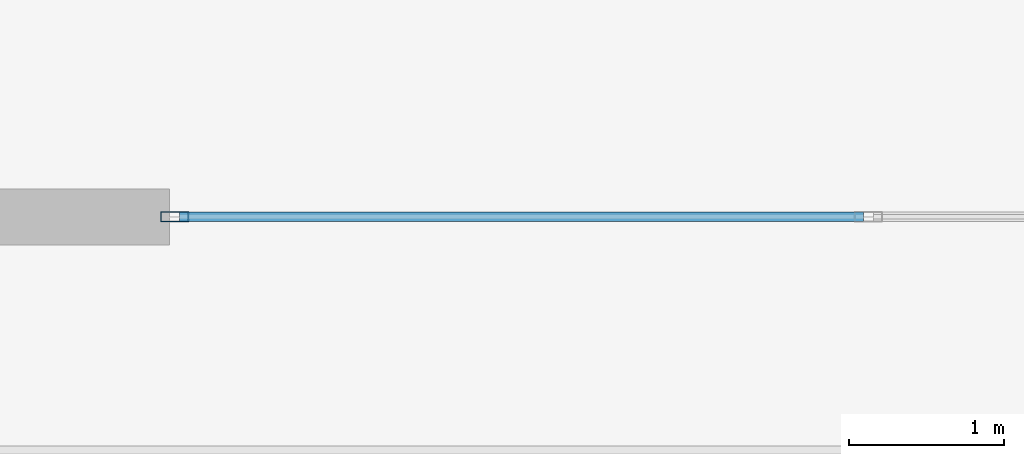
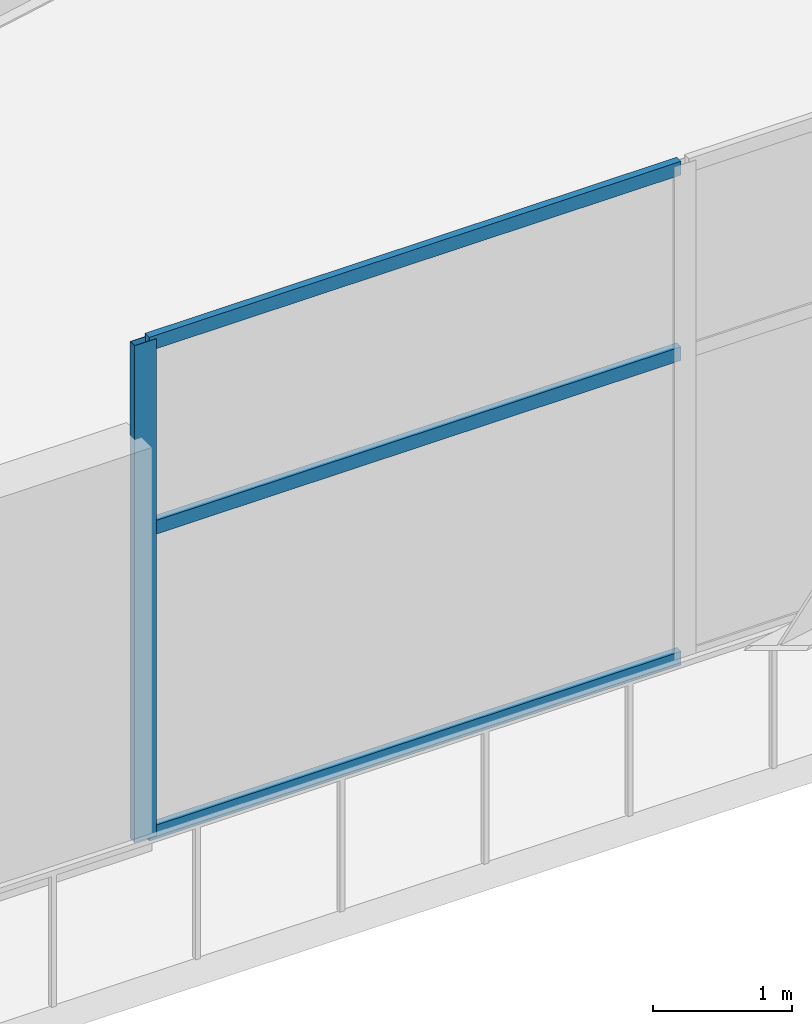
# One storey, part 10 of 35: 4 members, 1 element without a shape of its own.
"""IFC4 building model written with IfcOpenShell, lengths in metres."""

from ifc_helpers import new_model, si_unit, direction, frame, origin, origin_2d, place, context, subcontext, project, spatial, hollow_rectangle, extrude, material, layer, layer_set, material_profile, profile_set, type_object, element, aggregate, save


model = new_model("IFC4")

# Units and contexts
model_context = context("Model", 3, precision=1e-05, world=origin(), true_north=direction((0.0, 1.0)))
body_context = subcontext(model_context, "Body", "Model", "MODEL_VIEW")
ifc_project = project(units=[si_unit("LENGTHUNIT", "METRE"), si_unit("AREAUNIT", "SQUARE_METRE"), si_unit("VOLUMEUNIT", "CUBIC_METRE"), si_unit("PLANEANGLEUNIT", "RADIAN"), si_unit("MASSUNIT", "GRAM", prefix="KILO")], contexts=[model_context])

# Site, building, storey
site_placement = place(None, origin())
site = spatial("IfcSite", under=ifc_project, at=site_placement, CompositionType="ELEMENT")
building_placement = place(site_placement, origin())
building = spatial("IfcBuilding", under=site, at=building_placement, Name="Haevon Station Towers", CompositionType="ELEMENT")
storey_placement = place(building_placement, frame((0.0, 0.0, 20.39990234375)))
storey = spatial("IfcBuildingStorey", under=building, at=storey_placement, Name="L04", CompositionType="ELEMENT", Elevation=20.39990234375)

# Curtain wall, members
ifc_material_1 = material(Name="Anodised aluminium and Low-E double glazing", Category="aluminium")
ifc_layer = layer(ifc_material_1, 0.179931640625)
ifc_layer_set = layer_set([ifc_layer], Name="Anodised aluminium and Low-E double glazing")
curtain_wall_type = type_object("IfcCurtainWallType", Name="CW-SYS2", PredefinedType="NOTDEFINED", material=ifc_layer_set)
curtain_wall_placement = place(storey_placement, origin())
curtain_wall = element("IfcCurtainWall", 1, at=curtain_wall_placement, inside=storey, type_object=curtain_wall_type, Name="L04 Curtain Wall CW-POD-L04-S1", PredefinedType="NOTDEFINED")
ifc_material_2 = material(Name="Anodised aluminium 6063-T6", Category="aluminium")
ifc_material_profile_1 = material_profile(ifc_material_2, hollow_rectangle(XDim=0.06494140625, YDim=0.179931640625, WallThickness=0.00390625, at=origin_2d()), Name="CWM-180x65x4")
ifc_profile_set_1 = profile_set([ifc_material_profile_1], Name="Anodised aluminium 6063-T6")
member_type_1 = type_object("IfcMemberType", Name="CWM-180", PredefinedType="MULLION", material=ifc_profile_set_1)
member_1_placement = place(storey_placement, frame((91.532470703125, 16.5, 0.0), z_axis=(0.0, 0.0, 1.0), x_axis=(0.0, -1.0, 0.0)))
member_1 = element("IfcMember", 2, at=member_1_placement, type_object=member_type_1, Name="CW-SYS2 mullion 4", PredefinedType="MULLION", context=body_context, shape_type="SweptSolid", body=[
    extrude(hollow_rectangle(XDim=0.06494140625, YDim=0.179931640625, WallThickness=0.00390625, at=origin_2d()), origin(), (0.0, 0.0, 1.0), 4.35009765625),
])
ifc_material_profile_2 = material_profile(ifc_material_2, hollow_rectangle(XDim=0.06005859375, YDim=0.1201171875, WallThickness=0.0029296875, at=origin_2d()), Name="CWT-120x60x3")
ifc_profile_set_2 = profile_set([ifc_material_profile_2], Name="Anodised aluminium 6063-T6")
member_type_2 = type_object("IfcMemberType", Name="CWT-120", PredefinedType="USERDEFINED", material=ifc_profile_set_2)
member_2_placement = place(storey_placement, frame((95.967529296875, 16.5, 0.030029296875), z_axis=(-1.0, 0.0, 0.0), x_axis=(0.0, -1.0, 0.0)))
member_2 = element("IfcMember", 3, at=member_2_placement, type_object=member_type_2, Name="CW-SYS2 transom 3.1", ObjectType="TRANSOM", PredefinedType="USERDEFINED", context=body_context, shape_type="SweptSolid", body=[
    extrude(hollow_rectangle(XDim=0.06005859375, YDim=0.1201171875, WallThickness=0.0029296875, at=origin_2d()), origin(), (0.0, 0.0, 1.0), 4.402587890625),
])
member_3_placement = place(storey_placement, frame((95.967529296875, 16.5, 2.697021484375), z_axis=(-1.0, 0.0, 0.0), x_axis=(0.0, -1.0, 0.0)))
member_3 = element("IfcMember", 4, at=member_3_placement, type_object=member_type_2, Name="CW-SYS2 transom 3.2", ObjectType="TRANSOM", PredefinedType="USERDEFINED", context=body_context, shape_type="SweptSolid", body=[
    extrude(hollow_rectangle(XDim=0.06005859375, YDim=0.1201171875, WallThickness=0.0029296875, at=origin_2d()), origin(), (0.0, 0.0, 1.0), 4.402587890625),
])
member_4_placement = place(storey_placement, frame((95.967529296875, 16.5, 4.320068359375), z_axis=(-1.0, 0.0, 0.0), x_axis=(0.0, -1.0, 0.0)))
member_4 = element("IfcMember", 5, at=member_4_placement, type_object=member_type_2, Name="CW-SYS2 transom 3.3", ObjectType="TRANSOM", PredefinedType="USERDEFINED", context=body_context, shape_type="SweptSolid", body=[
    extrude(hollow_rectangle(XDim=0.06005859375, YDim=0.1201171875, WallThickness=0.0029296875, at=origin_2d()), origin(), (0.0, 0.0, 1.0), 4.402587890625),
])
aggregate(curtain_wall, [member_1, member_2, member_3, member_4])

save(model, "model.ifc")
